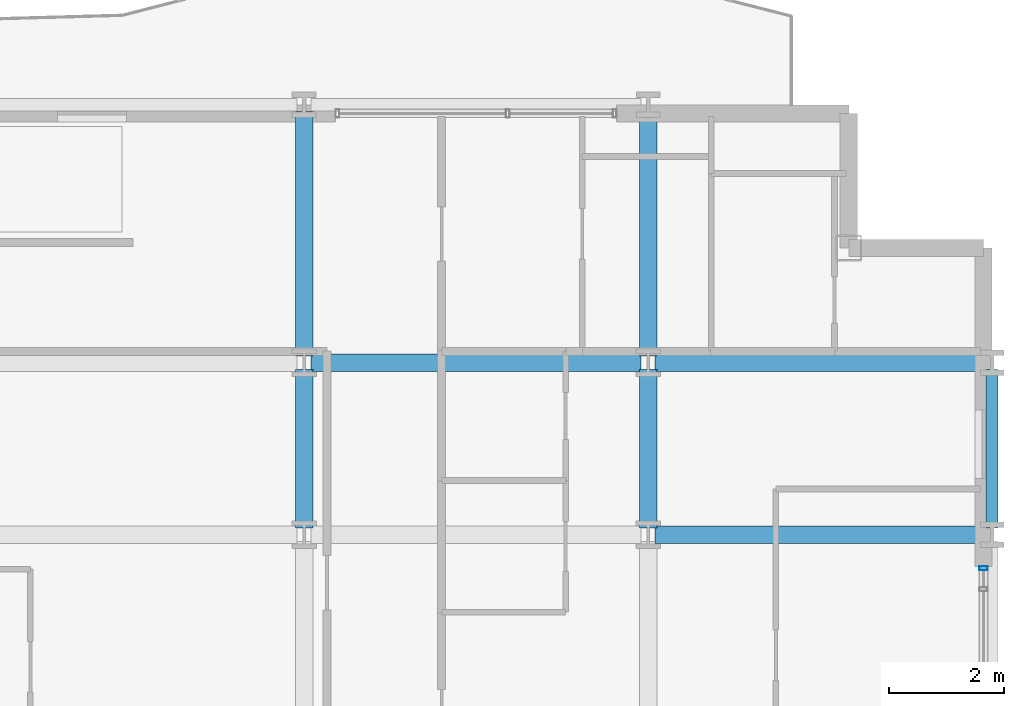
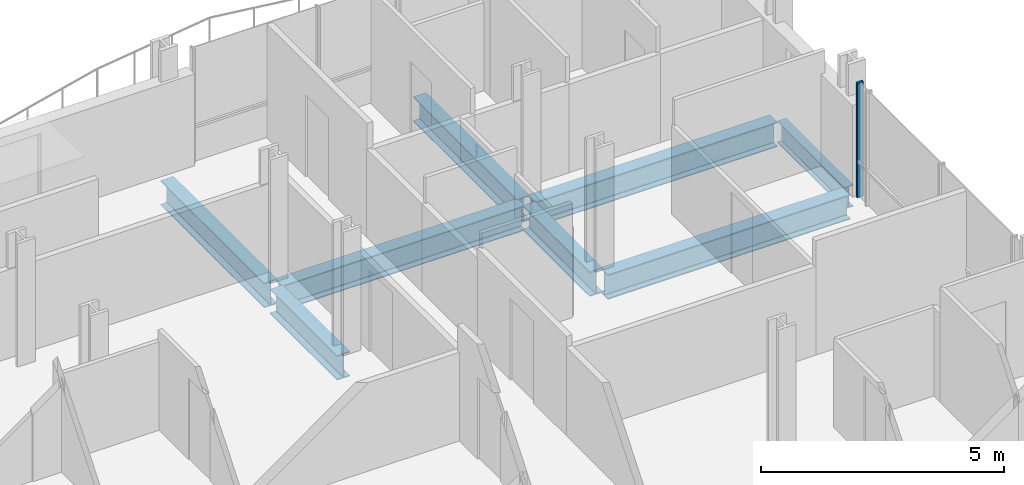
# One storey, part 20 of 41: 8 beams, 1 member, 1 element without a shape of its own.
"""IFC4 building model written with IfcOpenShell, lengths in metres."""

from ifc_helpers import new_model, si_unit, direction, frame, origin, origin_2d, place, context, subcontext, project, spatial, hollow_rectangle, i_section, extrude, material, layer, layer_set, material_profile, profile_set, type_object, element, aggregate, save


model = new_model("IFC4")

# Units and contexts
model_context = context("Model", 3, precision=1e-05, world=origin(), true_north=direction((0.0, 1.0)))
body_context = subcontext(model_context, "Body", "Model", "MODEL_VIEW")
ifc_project = project(units=[si_unit("LENGTHUNIT", "METRE"), si_unit("AREAUNIT", "SQUARE_METRE"), si_unit("VOLUMEUNIT", "CUBIC_METRE"), si_unit("PLANEANGLEUNIT", "RADIAN"), si_unit("MASSUNIT", "GRAM", prefix="KILO")], contexts=[model_context])

# Site, building, storey
site_placement = place(None, origin())
site = spatial("IfcSite", under=ifc_project, at=site_placement, CompositionType="ELEMENT")
building_placement = place(site_placement, origin())
building = spatial("IfcBuilding", under=site, at=building_placement, Name="Brevholm Reach", CompositionType="ELEMENT")
storey_placement = place(building_placement, frame((0.0, 0.0, 55.89990234375)))
storey = spatial("IfcBuildingStorey", under=building, at=storey_placement, Name="L15", CompositionType="ELEMENT", Elevation=55.89990234375)

# Beams
ifc_material_1 = material(Name="Structural Steel S355J2", Category="steel")
ifc_material_profile_1 = material_profile(ifc_material_1, i_section(OverallWidth=0.210693359375, OverallDepth=0.53955078125, WebThickness=0.01171875, FlangeThickness=0.018798828125, FilletRadius=0.0126953125, at=origin_2d()), Name="UKB 533x210x109")
ifc_profile_set_1 = profile_set([ifc_material_profile_1], Name="Structural Steel S355J2")
beam_type_1 = type_object("IfcBeamType", Name="BM-SP539", PredefinedType="SPANDREL", material=ifc_profile_set_1)
beam_1_placement = place(storey_placement, frame((60.0, 23.6201171875, -0.499755859375), z_axis=(0.0, 1.0, 0.0), x_axis=(-1.0, 0.0, 0.0)))
element("IfcBeam", 1, at=beam_1_placement, inside=storey, type_object=beam_type_1, Name="L15 SP-01B Framing Beam", PredefinedType="SPANDREL", context=body_context, shape_type="SweptSolid", body=[
    extrude(i_section(OverallWidth=0.210693359375, OverallDepth=0.53955078125, WebThickness=0.01171875, FlangeThickness=0.018798828125, FilletRadius=0.0126953125, at=origin_2d()), origin(), (0.0, 0.0, 1.0), 2.759765625),
])
ifc_material_2 = material(Name="Structural Steel S355J2", Category="steel")
ifc_material_profile_2 = material_profile(ifc_material_2, i_section(OverallWidth=0.30712890625, OverallDepth=0.6201171875, WebThickness=0.01416015625, FlangeThickness=0.023681640625, FilletRadius=0.0166015625, at=origin_2d()), Name="UKB 610x305x179")
ifc_profile_set_2 = profile_set([ifc_material_profile_2], Name="Structural Steel S355J2")
beam_type_2 = type_object("IfcBeamType", Name="BM-UKB610H", PredefinedType="USERDEFINED", material=ifc_profile_set_2)
for number, where, z_axis, x_axis, name in (
    (2, (54.1201171875, 23.5, -0.5400390625), (1.0, 0.0, 0.0), (0.0, 1.0, 0.0), "L15 G-06 Framing Beam"),
    (3, (48.1201171875, 26.5, -0.5400390625), (1.0, 0.0, 0.0), (0.0, 1.0, 0.0), "L15 G-06 Framing Beam"),
    (4, (54.1201171875, 26.5, -0.5400390625), (1.0, 0.0, 0.0), (0.0, 1.0, 0.0), "L15 G-06 Framing Beam"),
):
    element("IfcBeam", number, at=place(storey_placement, frame(where, z_axis=z_axis, x_axis=x_axis)), inside=storey, type_object=beam_type_2, Name=name, ObjectType="GIRDER", PredefinedType="USERDEFINED", context=body_context, shape_type="SweptSolid", body=[
        extrude(i_section(OverallWidth=0.30712890625, OverallDepth=0.6201171875, WebThickness=0.01416015625, FlangeThickness=0.023681640625, FilletRadius=0.0166015625, at=origin_2d()), origin(), (0.0, 0.0, 1.0), 5.759765625),
    ])
beam_2_placement = place(storey_placement, frame((48.0, 23.6201171875, -0.5400390625), z_axis=(0.0, 1.0, 0.0), x_axis=(-1.0, 0.0, 0.0)))
element("IfcBeam", 5, at=beam_2_placement, inside=storey, type_object=beam_type_2, Name="L15 G-06 Framing Beam", ObjectType="GIRDER", PredefinedType="USERDEFINED", context=body_context, shape_type="SweptSolid", body=[
    extrude(i_section(OverallWidth=0.30712890625, OverallDepth=0.6201171875, WebThickness=0.01416015625, FlangeThickness=0.023681640625, FilletRadius=0.0166015625, at=origin_2d()), origin(), (0.0, 0.0, 1.0), 2.759765625),
])
beam_3_placement = place(storey_placement, frame((48.0, 26.6201171875, -0.5400390625), z_axis=(0.0, 1.0, 0.0), x_axis=(-1.0, 0.0, 0.0)))
element("IfcBeam", 6, at=beam_3_placement, inside=storey, type_object=beam_type_2, Name="L15 G-06 Framing Beam", ObjectType="GIRDER", PredefinedType="USERDEFINED", context=body_context, shape_type="SweptSolid", body=[
    extrude(i_section(OverallWidth=0.30712890625, OverallDepth=0.6201171875, WebThickness=0.01416015625, FlangeThickness=0.023681640625, FilletRadius=0.0166015625, at=origin_2d()), origin(), (0.0, 0.0, 1.0), 4.259765625),
])
beam_4_placement = place(storey_placement, frame((54.0, 23.6201171875, -0.5400390625), z_axis=(0.0, 1.0, 0.0), x_axis=(-1.0, 0.0, 0.0)))
element("IfcBeam", 7, at=beam_4_placement, inside=storey, type_object=beam_type_2, Name="L15 G-06 Framing Beam", ObjectType="GIRDER", PredefinedType="USERDEFINED", context=body_context, shape_type="SweptSolid", body=[
    extrude(i_section(OverallWidth=0.30712890625, OverallDepth=0.6201171875, WebThickness=0.01416015625, FlangeThickness=0.023681640625, FilletRadius=0.0166015625, at=origin_2d()), origin(), (0.0, 0.0, 1.0), 2.759765625),
])
beam_5_placement = place(storey_placement, frame((54.0, 26.6201171875, -0.5400390625), z_axis=(0.0, 1.0, 0.0), x_axis=(-1.0, 0.0, 0.0)))
element("IfcBeam", 8, at=beam_5_placement, inside=storey, type_object=beam_type_2, Name="L15 G-06 Framing Beam", ObjectType="GIRDER", PredefinedType="USERDEFINED", context=body_context, shape_type="SweptSolid", body=[
    extrude(i_section(OverallWidth=0.30712890625, OverallDepth=0.6201171875, WebThickness=0.01416015625, FlangeThickness=0.023681640625, FilletRadius=0.0166015625, at=origin_2d()), origin(), (0.0, 0.0, 1.0), 4.259765625),
])

# Curtain wall, member
ifc_material_3 = material(Name="Dark Anodised Aluminium 6063-T6 and Solar-Control Glass", Category="aluminium")
ifc_layer = layer(ifc_material_3, 0.14990234375)
ifc_layer_set = layer_set([ifc_layer], Name="Dark Anodised Aluminium 6063-T6 and Solar-Control Glass")
curtain_wall_type = type_object("IfcCurtainWallType", Name="CW-01", PredefinedType="NOTDEFINED", material=ifc_layer_set)
curtain_wall_placement = place(storey_placement, origin())
curtain_wall = element("IfcCurtainWall", 9, at=curtain_wall_placement, inside=storey, type_object=curtain_wall_type, Name="L15 Curtain Wall CW-01", PredefinedType="NOTDEFINED")
ifc_material_4 = material(Name="Dark Anodised Aluminium 6063-T6", Category="aluminium")
ifc_material_profile_3 = material_profile(ifc_material_4, hollow_rectangle(XDim=0.06494140625, YDim=0.14990234375, WallThickness=0.0048828125, InnerFilletRadius=0.0048828125, OuterFilletRadius=0.010009765625, at=origin_2d()), Name="RHS 150x65x5")
ifc_profile_set_3 = profile_set([ifc_material_profile_3], Name="Dark Anodised Aluminium 6063-T6")
member_type = type_object("IfcMemberType", Name="CWM-150", PredefinedType="MULLION", material=ifc_profile_set_3)
member_placement = place(storey_placement, frame((59.85009765625, 22.91748046875, 0.0), z_axis=(0.0, 0.0, 1.0), x_axis=(0.0, 1.0, 0.0)))
member = element("IfcMember", 10, at=member_placement, type_object=member_type, Name="CM-150 Mullion 6", PredefinedType="MULLION", context=body_context, shape_type="SweptSolid", body=[
    extrude(hollow_rectangle(XDim=0.06494140625, YDim=0.14990234375, WallThickness=0.0048828125, InnerFilletRadius=0.0048828125, OuterFilletRadius=0.010009765625, at=origin_2d()), origin(), (0.0, 0.0, 1.0), 2.8701171875),
])
aggregate(curtain_wall, [member])

save(model, "model.ifc")
